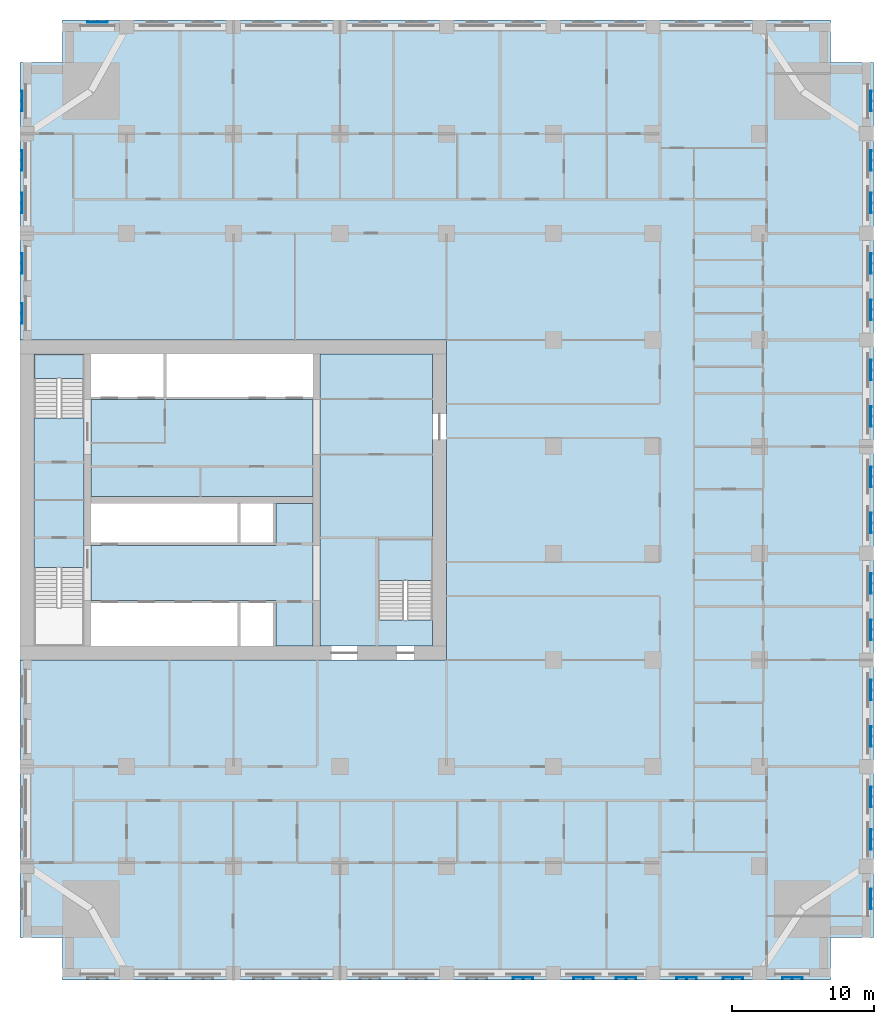
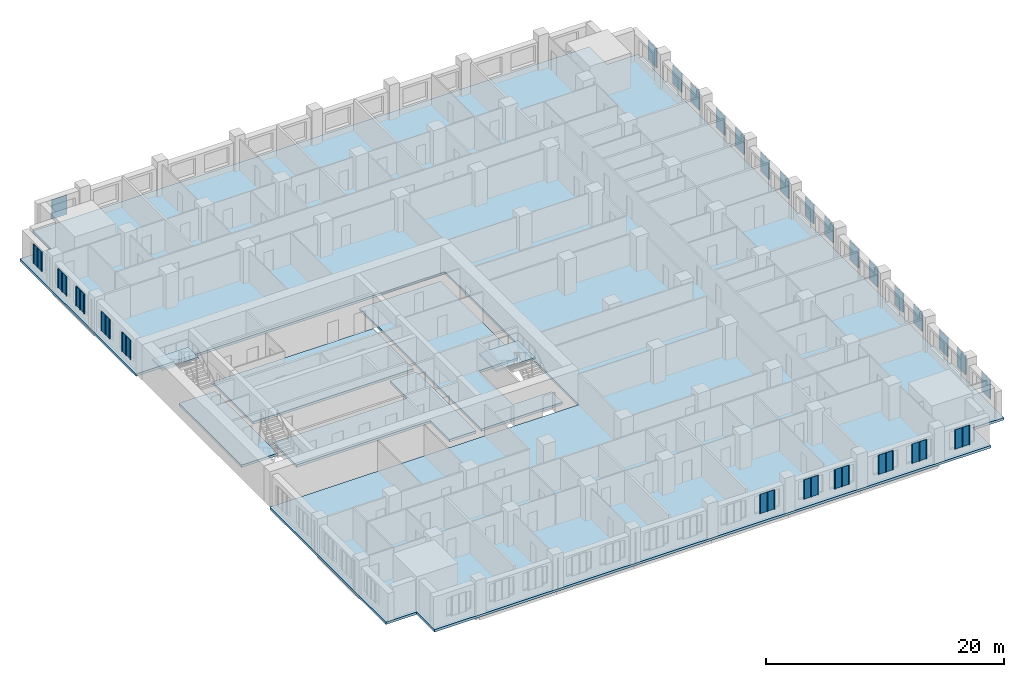
# One storey, part 2 of 14: 28 plates, 7 slabs, 2 elements without a shape of their own.
"""IFC4 building model written with IfcOpenShell, lengths in metres."""

from ifc_helpers import new_model, si_unit, direction, frame, origin, place, context, subcontext, project, spatial, polyline, outline, extrude, material, layer, layer_set, type_object, element, aggregate, save


model = new_model("IFC4")

# Units and contexts
model_context = context("Model", 3, precision=1e-05, world=origin(), true_north=direction((0.0, 1.0)))
body_context = subcontext(model_context, "Body", "Model", "MODEL_VIEW")
ifc_project = project(units=[si_unit("LENGTHUNIT", "METRE"), si_unit("AREAUNIT", "SQUARE_METRE"), si_unit("VOLUMEUNIT", "CUBIC_METRE"), si_unit("PLANEANGLEUNIT", "RADIAN"), si_unit("MASSUNIT", "GRAM", prefix="KILO")], contexts=[model_context])

# Site, building, storey
site_placement = place(None, origin())
site = spatial("IfcSite", under=ifc_project, at=site_placement, CompositionType="ELEMENT")
building_placement = place(site_placement, origin())
building = spatial("IfcBuilding", under=site, at=building_placement, Name="Tamorin Gate", CompositionType="ELEMENT")
storey_placement = place(building_placement, frame((0.0, 0.0, 70.0)))
storey = spatial("IfcBuildingStorey", under=building, at=storey_placement, Name="L16", CompositionType="ELEMENT", Elevation=70.0)

# Slabs
ifc_material_1 = material(Name="Concrete C40/50", Category="concrete")
ifc_layer_1 = layer(ifc_material_1, 0.25)
ifc_layer_set_1 = layer_set([ifc_layer_1], Name="Core floor slab 250 C40/50")
slab_type_1 = type_object("IfcSlabType", Name="Core floor slab 250 C40/50", PredefinedType="FLOOR", material=ifc_layer_set_1)
slab_1_placement = place(storey_placement, frame((0.0, 0.0, -0.25)))
element("IfcSlab", 1, at=slab_1_placement, inside=storey, type_object=slab_type_1, Name="Core floor L16", PredefinedType="FLOOR", context=body_context, shape_type="SweptSolid", body=[
    extrude(outline(polyline([(59.0, 62.800048828125), (59.0, 61.0), (51.10009765625, 61.0), (51.10009765625, 81.5), (59.0, 81.5), (59.0, 68.5), (55.199951171875, 68.5), (55.199951171875, 62.800048828125), (59.0, 62.800048828125)])), origin(), (0.0, 0.0, 1.0), 0.25),
])
slab_2_placement = place(storey_placement, frame((0.0, 0.0, -0.25)))
element("IfcSlab", 2, at=slab_2_placement, inside=storey, type_object=slab_type_1, Name="Core floor L16", PredefinedType="FLOOR", context=body_context, shape_type="SweptSolid", body=[
    extrude(outline(polyline([(50.60009765625, 61.0), (48.0, 61.0), (48.0, 64.199951171875), (35.0, 64.199951171875), (35.0, 68.050048828125), (48.0, 68.050048828125), (48.0, 71.0), (50.60009765625, 71.0), (50.60009765625, 61.0)])), origin(), (0.0, 0.0, 1.0), 0.25),
])
slab_3_placement = place(storey_placement, frame((0.0, 0.0, -0.25)))
element("IfcSlab", 3, at=slab_3_placement, inside=storey, type_object=slab_type_1, Name="Core floor L16", PredefinedType="FLOOR", context=body_context, shape_type="SweptSolid", body=[
    extrude(outline(polyline([(50.60009765625, 71.5), (35.0, 71.5), (35.0, 78.300048828125), (50.60009765625, 78.300048828125), (50.60009765625, 71.5)])), origin(), (0.0, 0.0, 1.0), 0.25),
])
slab_4_placement = place(storey_placement, frame((0.0, 0.0, -0.25)))
element("IfcSlab", 4, at=slab_4_placement, inside=storey, type_object=slab_type_1, Name="Core floor L16", PredefinedType="FLOOR", context=body_context, shape_type="SweptSolid", body=[
    extrude(outline(polyline([(31.0, 66.5), (31.0, 77.0), (34.5, 77.0), (34.5, 66.5), (31.0, 66.5)])), origin(), (0.0, 0.0, 1.0), 0.25),
])

# Stair, slab
stair_type = type_object("IfcStairType", Name="Exit stair", PredefinedType="HALF_TURN_STAIR", material=ifc_material_1)
stair_1_placement = place(storey_placement, origin())
stair_1 = element("IfcStair", 5, at=stair_1_placement, inside=storey, type_object=stair_type, Name="L16 stair ST2", PredefinedType="HALF_TURN_STAIR")
ifc_layer_2 = layer(ifc_material_1, 0.199951171875)
ifc_layer_set_2 = layer_set([ifc_layer_2], Name="Exit stair landing 200")
slab_type_2 = type_object("IfcSlabType", Name="Exit stair landing 200", PredefinedType="LANDING", material=ifc_layer_set_2)
slab_5_placement = place(storey_placement, frame((0.0, 0.0, 1.60009765625)))
slab_5 = element("IfcSlab", 6, at=slab_5_placement, type_object=slab_type_2, Name="ST2 landing 1", PredefinedType="LANDING", context=body_context, shape_type="SweptSolid", body=[
    extrude(outline(polyline([(34.5, 79.800048828125), (34.5, 81.5), (31.0, 81.5), (31.0, 79.800048828125), (34.5, 79.800048828125)])), origin(), (0.0, 0.0, 1.0), 0.199951171875),
])
aggregate(stair_1, [slab_5])

stair_2_placement = place(storey_placement, origin())
stair_2 = element("IfcStair", 7, at=stair_2_placement, inside=storey, type_object=stair_type, Name="L16 stair ST3", PredefinedType="HALF_TURN_STAIR")
slab_6_placement = place(storey_placement, frame((0.0, 0.0, 1.60009765625)))
slab_6 = element("IfcSlab", 8, at=slab_6_placement, type_object=slab_type_2, Name="ST3 landing 1", PredefinedType="LANDING", context=body_context, shape_type="SweptSolid", body=[
    extrude(outline(polyline([(59.0, 65.60009765625), (59.0, 68.5), (55.199951171875, 68.5), (55.199951171875, 65.60009765625), (59.0, 65.60009765625)])), origin(), (0.0, 0.0, 1.0), 0.199951171875),
])
aggregate(stair_2, [slab_6])

# Slab
ifc_layer_3 = layer(ifc_material_1, 0.25)
ifc_layer_set_3 = layer_set([ifc_layer_3], Name="Floor slab 250 C40/50")
slab_type_3 = type_object("IfcSlabType", Name="Floor slab 250 C40/50", PredefinedType="FLOOR", material=ifc_layer_set_3)
slab_7_placement = place(storey_placement, frame((0.0, 0.0, -0.25)))
element("IfcSlab", 9, at=slab_7_placement, inside=storey, type_object=slab_type_3, Name="Floor L16", PredefinedType="FLOOR", context=body_context, shape_type="SweptSolid", body=[
    extrude(outline(polyline([(30.0, 102.0), (33.0, 102.0), (33.0, 105.0), (87.0, 105.0), (87.0, 102.0), (90.0, 102.0), (90.0, 40.5), (87.0, 40.5), (87.0, 37.5), (33.0, 37.5), (33.0, 40.5), (30.0, 40.5), (30.0, 60.0), (60.0, 60.0), (60.0, 82.5), (30.0, 82.5), (30.0, 102.0)])), origin(), (0.0, 0.0, 1.0), 0.25),
])

# Plates
ifc_material_2 = material(Name="Perforated pale aluminium sheet", Category="aluminium")
ifc_layer_4 = layer(ifc_material_2, 0.0400390625)
ifc_layer_set_4 = layer_set([ifc_layer_4], Name="Pale metal solar screen 1440")
plate_type = type_object("IfcPlateType", Name="Pale metal solar screen 1440", PredefinedType="SHEET", material=ifc_layer_set_4)
plate_1_placement = place(storey_placement, frame((0.0, 0.0, 0.7099609375)))
element("IfcPlate", 10, at=plate_1_placement, inside=storey, type_object=plate_type, Name="Perforated solar screen", PredefinedType="SHEET", context=body_context, shape_type="SweptSolid", body=[
    extrude(outline(polyline([(64.655029296875, 37.659912109375), (64.655029296875, 37.699951171875), (64.715087890625, 37.699951171875), (65.344970703125, 37.699951171875), (65.405029296875, 37.699951171875), (66.034912109375, 37.699951171875), (66.094970703125, 37.699951171875), (66.094970703125, 37.659912109375), (66.094970703125, 37.60009765625), (66.034912109375, 37.60009765625), (66.034912109375, 37.659912109375), (65.405029296875, 37.659912109375), (65.405029296875, 37.60009765625), (65.344970703125, 37.60009765625), (65.344970703125, 37.659912109375), (64.715087890625, 37.659912109375), (64.715087890625, 37.60009765625), (64.655029296875, 37.60009765625), (64.655029296875, 37.659912109375)])), origin(), (0.0, 0.0, 1.0), 1.97998046875),
])
plate_2_placement = place(storey_placement, frame((0.0, 0.0, 0.7099609375)))
element("IfcPlate", 11, at=plate_2_placement, inside=storey, type_object=plate_type, Name="Perforated solar screen", PredefinedType="SHEET", context=body_context, shape_type="SweptSolid", body=[
    extrude(outline(polyline([(68.905029296875, 37.659912109375), (68.905029296875, 37.699951171875), (68.965087890625, 37.699951171875), (69.594970703125, 37.699951171875), (69.655029296875, 37.699951171875), (70.284912109375, 37.699951171875), (70.344970703125, 37.699951171875), (70.344970703125, 37.659912109375), (70.344970703125, 37.60009765625), (70.284912109375, 37.60009765625), (70.284912109375, 37.659912109375), (69.655029296875, 37.659912109375), (69.655029296875, 37.60009765625), (69.594970703125, 37.60009765625), (69.594970703125, 37.659912109375), (68.965087890625, 37.659912109375), (68.965087890625, 37.60009765625), (68.905029296875, 37.60009765625), (68.905029296875, 37.659912109375)])), origin(), (0.0, 0.0, 1.0), 1.97998046875),
])
plate_3_placement = place(storey_placement, frame((0.0, 0.0, 0.7099609375)))
element("IfcPlate", 12, at=plate_3_placement, inside=storey, type_object=plate_type, Name="Perforated solar screen", PredefinedType="SHEET", context=body_context, shape_type="SweptSolid", body=[
    extrude(outline(polyline([(71.905029296875, 37.659912109375), (71.905029296875, 37.699951171875), (71.965087890625, 37.699951171875), (72.594970703125, 37.699951171875), (72.655029296875, 37.699951171875), (73.284912109375, 37.699951171875), (73.344970703125, 37.699951171875), (73.344970703125, 37.659912109375), (73.344970703125, 37.60009765625), (73.284912109375, 37.60009765625), (73.284912109375, 37.659912109375), (72.655029296875, 37.659912109375), (72.655029296875, 37.60009765625), (72.594970703125, 37.60009765625), (72.594970703125, 37.659912109375), (71.965087890625, 37.659912109375), (71.965087890625, 37.60009765625), (71.905029296875, 37.60009765625), (71.905029296875, 37.659912109375)])), origin(), (0.0, 0.0, 1.0), 1.97998046875),
])
plate_4_placement = place(storey_placement, frame((0.0, 0.0, 0.7099609375)))
element("IfcPlate", 13, at=plate_4_placement, inside=storey, type_object=plate_type, Name="Perforated solar screen", PredefinedType="SHEET", context=body_context, shape_type="SweptSolid", body=[
    extrude(outline(polyline([(76.155029296875, 37.659912109375), (76.155029296875, 37.699951171875), (76.215087890625, 37.699951171875), (76.844970703125, 37.699951171875), (76.905029296875, 37.699951171875), (77.534912109375, 37.699951171875), (77.594970703125, 37.699951171875), (77.594970703125, 37.659912109375), (77.594970703125, 37.60009765625), (77.534912109375, 37.60009765625), (77.534912109375, 37.659912109375), (76.905029296875, 37.659912109375), (76.905029296875, 37.60009765625), (76.844970703125, 37.60009765625), (76.844970703125, 37.659912109375), (76.215087890625, 37.659912109375), (76.215087890625, 37.60009765625), (76.155029296875, 37.60009765625), (76.155029296875, 37.659912109375)])), origin(), (0.0, 0.0, 1.0), 1.97998046875),
])
plate_5_placement = place(storey_placement, frame((0.0, 0.0, 0.7099609375)))
element("IfcPlate", 14, at=plate_5_placement, inside=storey, type_object=plate_type, Name="Perforated solar screen", PredefinedType="SHEET", context=body_context, shape_type="SweptSolid", body=[
    extrude(outline(polyline([(79.405029296875, 37.659912109375), (79.405029296875, 37.699951171875), (79.465087890625, 37.699951171875), (80.094970703125, 37.699951171875), (80.155029296875, 37.699951171875), (80.784912109375, 37.699951171875), (80.844970703125, 37.699951171875), (80.844970703125, 37.659912109375), (80.844970703125, 37.60009765625), (80.784912109375, 37.60009765625), (80.784912109375, 37.659912109375), (80.155029296875, 37.659912109375), (80.155029296875, 37.60009765625), (80.094970703125, 37.60009765625), (80.094970703125, 37.659912109375), (79.465087890625, 37.659912109375), (79.465087890625, 37.60009765625), (79.405029296875, 37.60009765625), (79.405029296875, 37.659912109375)])), origin(), (0.0, 0.0, 1.0), 1.97998046875),
])
plate_6_placement = place(storey_placement, frame((0.0, 0.0, 0.7099609375)))
element("IfcPlate", 15, at=plate_6_placement, inside=storey, type_object=plate_type, Name="Perforated solar screen", PredefinedType="SHEET", context=body_context, shape_type="SweptSolid", body=[
    extrude(outline(polyline([(83.580078125, 37.659912109375), (83.580078125, 37.699951171875), (83.639892578125, 37.699951171875), (84.27001953125, 37.699951171875), (84.330078125, 37.699951171875), (84.9599609375, 37.699951171875), (85.02001953125, 37.699951171875), (85.02001953125, 37.659912109375), (85.02001953125, 37.60009765625), (84.9599609375, 37.60009765625), (84.9599609375, 37.659912109375), (84.330078125, 37.659912109375), (84.330078125, 37.60009765625), (84.27001953125, 37.60009765625), (84.27001953125, 37.659912109375), (83.639892578125, 37.659912109375), (83.639892578125, 37.60009765625), (83.580078125, 37.60009765625), (83.580078125, 37.659912109375)])), origin(), (0.0, 0.0, 1.0), 1.97998046875),
])
plate_7_placement = place(storey_placement, frame((0.0, 0.0, 0.7099609375)))
element("IfcPlate", 16, at=plate_7_placement, inside=storey, type_object=plate_type, Name="Perforated solar screen", PredefinedType="SHEET", context=body_context, shape_type="SweptSolid", body=[
    extrude(outline(polyline([(89.840087890625, 42.47998046875), (89.800048828125, 42.47998046875), (89.800048828125, 42.5400390625), (89.800048828125, 43.169921875), (89.800048828125, 43.22998046875), (89.800048828125, 43.860107421875), (89.800048828125, 43.919921875), (89.840087890625, 43.919921875), (89.89990234375, 43.919921875), (89.89990234375, 43.860107421875), (89.840087890625, 43.860107421875), (89.840087890625, 43.22998046875), (89.89990234375, 43.22998046875), (89.89990234375, 43.169921875), (89.840087890625, 43.169921875), (89.840087890625, 42.5400390625), (89.89990234375, 42.5400390625), (89.89990234375, 42.47998046875), (89.840087890625, 42.47998046875)])), origin(), (0.0, 0.0, 1.0), 1.97998046875),
])
plate_8_placement = place(storey_placement, frame((0.0, 0.0, 0.7099609375)))
element("IfcPlate", 17, at=plate_8_placement, inside=storey, type_object=plate_type, Name="Perforated solar screen", PredefinedType="SHEET", context=body_context, shape_type="SweptSolid", body=[
    extrude(outline(polyline([(89.840087890625, 46.655029296875), (89.800048828125, 46.655029296875), (89.800048828125, 46.715087890625), (89.800048828125, 47.344970703125), (89.800048828125, 47.405029296875), (89.800048828125, 48.034912109375), (89.800048828125, 48.094970703125), (89.800048828125, 48.094970703125), (89.840087890625, 48.094970703125), (89.840087890625, 48.094970703125), (89.89990234375, 48.094970703125), (89.89990234375, 48.034912109375), (89.840087890625, 48.034912109375), (89.840087890625, 47.405029296875), (89.89990234375, 47.405029296875), (89.89990234375, 47.344970703125), (89.840087890625, 47.344970703125), (89.840087890625, 46.715087890625), (89.89990234375, 46.715087890625), (89.89990234375, 46.655029296875), (89.840087890625, 46.655029296875)])), origin(), (0.0, 0.0, 1.0), 1.97998046875),
])
plate_9_placement = place(storey_placement, frame((0.0, 0.0, 0.7099609375)))
element("IfcPlate", 18, at=plate_9_placement, inside=storey, type_object=plate_type, Name="Perforated solar screen", PredefinedType="SHEET", context=body_context, shape_type="SweptSolid", body=[
    extrude(outline(polyline([(89.840087890625, 49.655029296875), (89.800048828125, 49.655029296875), (89.800048828125, 49.715087890625), (89.800048828125, 50.344970703125), (89.800048828125, 50.405029296875), (89.800048828125, 51.034912109375), (89.800048828125, 51.094970703125), (89.840087890625, 51.094970703125), (89.89990234375, 51.094970703125), (89.89990234375, 51.034912109375), (89.840087890625, 51.034912109375), (89.840087890625, 50.405029296875), (89.89990234375, 50.405029296875), (89.89990234375, 50.344970703125), (89.840087890625, 50.344970703125), (89.840087890625, 49.715087890625), (89.89990234375, 49.715087890625), (89.89990234375, 49.655029296875), (89.840087890625, 49.655029296875)])), origin(), (0.0, 0.0, 1.0), 1.97998046875),
])
plate_10_placement = place(storey_placement, frame((0.0, 0.0, 0.7099609375)))
element("IfcPlate", 19, at=plate_10_placement, inside=storey, type_object=plate_type, Name="Perforated solar screen", PredefinedType="SHEET", context=body_context, shape_type="SweptSolid", body=[
    extrude(outline(polyline([(89.840087890625, 53.905029296875), (89.800048828125, 53.905029296875), (89.800048828125, 53.965087890625), (89.800048828125, 54.594970703125), (89.800048828125, 54.655029296875), (89.800048828125, 55.284912109375), (89.800048828125, 55.344970703125), (89.840087890625, 55.344970703125), (89.89990234375, 55.344970703125), (89.89990234375, 55.284912109375), (89.840087890625, 55.284912109375), (89.840087890625, 54.655029296875), (89.89990234375, 54.655029296875), (89.89990234375, 54.594970703125), (89.840087890625, 54.594970703125), (89.840087890625, 53.965087890625), (89.89990234375, 53.965087890625), (89.89990234375, 53.905029296875), (89.840087890625, 53.905029296875)])), origin(), (0.0, 0.0, 1.0), 1.97998046875),
])
plate_11_placement = place(storey_placement, frame((0.0, 0.0, 0.7099609375)))
element("IfcPlate", 20, at=plate_11_placement, inside=storey, type_object=plate_type, Name="Perforated solar screen", PredefinedType="SHEET", context=body_context, shape_type="SweptSolid", body=[
    extrude(outline(polyline([(89.840087890625, 57.155029296875), (89.800048828125, 57.155029296875), (89.800048828125, 57.215087890625), (89.800048828125, 57.844970703125), (89.800048828125, 57.905029296875), (89.800048828125, 58.534912109375), (89.800048828125, 58.594970703125), (89.840087890625, 58.594970703125), (89.89990234375, 58.594970703125), (89.89990234375, 58.534912109375), (89.840087890625, 58.534912109375), (89.840087890625, 57.905029296875), (89.89990234375, 57.905029296875), (89.89990234375, 57.844970703125), (89.840087890625, 57.844970703125), (89.840087890625, 57.215087890625), (89.89990234375, 57.215087890625), (89.89990234375, 57.155029296875), (89.840087890625, 57.155029296875)])), origin(), (0.0, 0.0, 1.0), 1.97998046875),
])
plate_12_placement = place(storey_placement, frame((0.0, 0.0, 0.7099609375)))
element("IfcPlate", 21, at=plate_12_placement, inside=storey, type_object=plate_type, Name="Perforated solar screen", PredefinedType="SHEET", context=body_context, shape_type="SweptSolid", body=[
    extrude(outline(polyline([(89.840087890625, 61.405029296875), (89.800048828125, 61.405029296875), (89.800048828125, 61.465087890625), (89.800048828125, 62.094970703125), (89.800048828125, 62.155029296875), (89.800048828125, 62.784912109375), (89.800048828125, 62.844970703125), (89.840087890625, 62.844970703125), (89.89990234375, 62.844970703125), (89.89990234375, 62.784912109375), (89.840087890625, 62.784912109375), (89.840087890625, 62.155029296875), (89.89990234375, 62.155029296875), (89.89990234375, 62.094970703125), (89.840087890625, 62.094970703125), (89.840087890625, 61.465087890625), (89.89990234375, 61.465087890625), (89.89990234375, 61.405029296875), (89.840087890625, 61.405029296875)])), origin(), (0.0, 0.0, 1.0), 1.97998046875),
])
plate_13_placement = place(storey_placement, frame((0.0, 0.0, 0.7099609375)))
element("IfcPlate", 22, at=plate_13_placement, inside=storey, type_object=plate_type, Name="Perforated solar screen", PredefinedType="SHEET", context=body_context, shape_type="SweptSolid", body=[
    extrude(outline(polyline([(89.840087890625, 64.655029296875), (89.800048828125, 64.655029296875), (89.800048828125, 64.715087890625), (89.800048828125, 65.344970703125), (89.800048828125, 65.405029296875), (89.800048828125, 66.034912109375), (89.800048828125, 66.094970703125), (89.840087890625, 66.094970703125), (89.89990234375, 66.094970703125), (89.89990234375, 66.034912109375), (89.840087890625, 66.034912109375), (89.840087890625, 65.405029296875), (89.89990234375, 65.405029296875), (89.89990234375, 65.344970703125), (89.840087890625, 65.344970703125), (89.840087890625, 64.715087890625), (89.89990234375, 64.715087890625), (89.89990234375, 64.655029296875), (89.840087890625, 64.655029296875)])), origin(), (0.0, 0.0, 1.0), 1.97998046875),
])
plate_14_placement = place(storey_placement, frame((0.0, 0.0, 0.7099609375)))
element("IfcPlate", 23, at=plate_14_placement, inside=storey, type_object=plate_type, Name="Perforated solar screen", PredefinedType="SHEET", context=body_context, shape_type="SweptSolid", body=[
    extrude(outline(polyline([(89.840087890625, 68.905029296875), (89.800048828125, 68.905029296875), (89.800048828125, 68.965087890625), (89.800048828125, 69.594970703125), (89.800048828125, 69.655029296875), (89.800048828125, 70.284912109375), (89.800048828125, 70.344970703125), (89.840087890625, 70.344970703125), (89.89990234375, 70.344970703125), (89.89990234375, 70.284912109375), (89.840087890625, 70.284912109375), (89.840087890625, 69.655029296875), (89.89990234375, 69.655029296875), (89.89990234375, 69.594970703125), (89.840087890625, 69.594970703125), (89.840087890625, 68.965087890625), (89.89990234375, 68.965087890625), (89.89990234375, 68.905029296875), (89.840087890625, 68.905029296875)])), origin(), (0.0, 0.0, 1.0), 1.97998046875),
])
plate_15_placement = place(storey_placement, frame((0.0, 0.0, 0.7099609375)))
element("IfcPlate", 24, at=plate_15_placement, inside=storey, type_object=plate_type, Name="Perforated solar screen", PredefinedType="SHEET", context=body_context, shape_type="SweptSolid", body=[
    extrude(outline(polyline([(89.840087890625, 72.155029296875), (89.800048828125, 72.155029296875), (89.800048828125, 72.215087890625), (89.800048828125, 72.844970703125), (89.800048828125, 72.905029296875), (89.800048828125, 73.534912109375), (89.800048828125, 73.594970703125), (89.840087890625, 73.594970703125), (89.89990234375, 73.594970703125), (89.89990234375, 73.534912109375), (89.840087890625, 73.534912109375), (89.840087890625, 72.905029296875), (89.89990234375, 72.905029296875), (89.89990234375, 72.844970703125), (89.840087890625, 72.844970703125), (89.840087890625, 72.215087890625), (89.89990234375, 72.215087890625), (89.89990234375, 72.155029296875), (89.840087890625, 72.155029296875)])), origin(), (0.0, 0.0, 1.0), 1.97998046875),
])
plate_16_placement = place(storey_placement, frame((0.0, 0.0, 0.7099609375)))
element("IfcPlate", 25, at=plate_16_placement, inside=storey, type_object=plate_type, Name="Perforated solar screen", PredefinedType="SHEET", context=body_context, shape_type="SweptSolid", body=[
    extrude(outline(polyline([(89.840087890625, 76.405029296875), (89.800048828125, 76.405029296875), (89.800048828125, 76.465087890625), (89.800048828125, 77.094970703125), (89.800048828125, 77.155029296875), (89.800048828125, 77.784912109375), (89.800048828125, 77.844970703125), (89.840087890625, 77.844970703125), (89.89990234375, 77.844970703125), (89.89990234375, 77.784912109375), (89.840087890625, 77.784912109375), (89.840087890625, 77.155029296875), (89.89990234375, 77.155029296875), (89.89990234375, 77.094970703125), (89.840087890625, 77.094970703125), (89.840087890625, 76.465087890625), (89.89990234375, 76.465087890625), (89.89990234375, 76.405029296875), (89.840087890625, 76.405029296875)])), origin(), (0.0, 0.0, 1.0), 1.97998046875),
])
plate_17_placement = place(storey_placement, frame((0.0, 0.0, 0.7099609375)))
element("IfcPlate", 26, at=plate_17_placement, inside=storey, type_object=plate_type, Name="Perforated solar screen", PredefinedType="SHEET", context=body_context, shape_type="SweptSolid", body=[
    extrude(outline(polyline([(89.840087890625, 79.655029296875), (89.800048828125, 79.655029296875), (89.800048828125, 79.715087890625), (89.800048828125, 80.344970703125), (89.800048828125, 80.405029296875), (89.800048828125, 81.034912109375), (89.800048828125, 81.094970703125), (89.840087890625, 81.094970703125), (89.89990234375, 81.094970703125), (89.89990234375, 81.034912109375), (89.840087890625, 81.034912109375), (89.840087890625, 80.405029296875), (89.89990234375, 80.405029296875), (89.89990234375, 80.344970703125), (89.840087890625, 80.344970703125), (89.840087890625, 79.715087890625), (89.89990234375, 79.715087890625), (89.89990234375, 79.655029296875), (89.840087890625, 79.655029296875)])), origin(), (0.0, 0.0, 1.0), 1.97998046875),
])
plate_18_placement = place(storey_placement, frame((0.0, 0.0, 0.7099609375)))
element("IfcPlate", 27, at=plate_18_placement, inside=storey, type_object=plate_type, Name="Perforated solar screen", PredefinedType="SHEET", context=body_context, shape_type="SweptSolid", body=[
    extrude(outline(polyline([(89.840087890625, 83.905029296875), (89.800048828125, 83.905029296875), (89.800048828125, 83.965087890625), (89.800048828125, 84.594970703125), (89.800048828125, 84.655029296875), (89.800048828125, 85.284912109375), (89.800048828125, 85.344970703125), (89.840087890625, 85.344970703125), (89.89990234375, 85.344970703125), (89.89990234375, 85.284912109375), (89.840087890625, 85.284912109375), (89.840087890625, 84.655029296875), (89.89990234375, 84.655029296875), (89.89990234375, 84.594970703125), (89.840087890625, 84.594970703125), (89.840087890625, 83.965087890625), (89.89990234375, 83.965087890625), (89.89990234375, 83.905029296875), (89.840087890625, 83.905029296875)])), origin(), (0.0, 0.0, 1.0), 1.97998046875),
])
plate_19_placement = place(storey_placement, frame((0.0, 0.0, 0.7099609375)))
element("IfcPlate", 28, at=plate_19_placement, inside=storey, type_object=plate_type, Name="Perforated solar screen", PredefinedType="SHEET", context=body_context, shape_type="SweptSolid", body=[
    extrude(outline(polyline([(89.840087890625, 87.155029296875), (89.800048828125, 87.155029296875), (89.800048828125, 87.215087890625), (89.800048828125, 87.844970703125), (89.800048828125, 87.905029296875), (89.800048828125, 88.534912109375), (89.800048828125, 88.594970703125), (89.840087890625, 88.594970703125), (89.89990234375, 88.594970703125), (89.89990234375, 88.534912109375), (89.840087890625, 88.534912109375), (89.840087890625, 87.905029296875), (89.89990234375, 87.905029296875), (89.89990234375, 87.844970703125), (89.840087890625, 87.844970703125), (89.840087890625, 87.215087890625), (89.89990234375, 87.215087890625), (89.89990234375, 87.155029296875), (89.840087890625, 87.155029296875)])), origin(), (0.0, 0.0, 1.0), 1.97998046875),
])
plate_20_placement = place(storey_placement, frame((0.0, 0.0, 0.7099609375)))
element("IfcPlate", 29, at=plate_20_placement, inside=storey, type_object=plate_type, Name="Perforated solar screen", PredefinedType="SHEET", context=body_context, shape_type="SweptSolid", body=[
    extrude(outline(polyline([(89.840087890625, 91.405029296875), (89.800048828125, 91.405029296875), (89.800048828125, 91.465087890625), (89.800048828125, 92.094970703125), (89.800048828125, 92.155029296875), (89.800048828125, 92.784912109375), (89.800048828125, 92.844970703125), (89.840087890625, 92.844970703125), (89.89990234375, 92.844970703125), (89.89990234375, 92.784912109375), (89.840087890625, 92.784912109375), (89.840087890625, 92.155029296875), (89.89990234375, 92.155029296875), (89.89990234375, 92.094970703125), (89.840087890625, 92.094970703125), (89.840087890625, 91.465087890625), (89.89990234375, 91.465087890625), (89.89990234375, 91.405029296875), (89.840087890625, 91.405029296875)])), origin(), (0.0, 0.0, 1.0), 1.97998046875),
])
plate_21_placement = place(storey_placement, frame((0.0, 0.0, 0.7099609375)))
element("IfcPlate", 30, at=plate_21_placement, inside=storey, type_object=plate_type, Name="Perforated solar screen", PredefinedType="SHEET", context=body_context, shape_type="SweptSolid", body=[
    extrude(outline(polyline([(89.840087890625, 94.405029296875), (89.800048828125, 94.405029296875), (89.800048828125, 94.465087890625), (89.800048828125, 95.094970703125), (89.800048828125, 95.155029296875), (89.800048828125, 95.784912109375), (89.800048828125, 95.844970703125), (89.840087890625, 95.844970703125), (89.89990234375, 95.844970703125), (89.89990234375, 95.784912109375), (89.840087890625, 95.784912109375), (89.840087890625, 95.155029296875), (89.89990234375, 95.155029296875), (89.89990234375, 95.094970703125), (89.840087890625, 95.094970703125), (89.840087890625, 94.465087890625), (89.89990234375, 94.465087890625), (89.89990234375, 94.405029296875), (89.840087890625, 94.405029296875)])), origin(), (0.0, 0.0, 1.0), 1.97998046875),
])
plate_22_placement = place(storey_placement, frame((0.0, 0.0, 0.7099609375)))
element("IfcPlate", 31, at=plate_22_placement, inside=storey, type_object=plate_type, Name="Perforated solar screen", PredefinedType="SHEET", context=body_context, shape_type="SweptSolid", body=[
    extrude(outline(polyline([(89.840087890625, 98.580078125), (89.800048828125, 98.580078125), (89.800048828125, 98.639892578125), (89.800048828125, 99.27001953125), (89.800048828125, 99.330078125), (89.800048828125, 99.9599609375), (89.800048828125, 100.02001953125), (89.840087890625, 100.02001953125), (89.89990234375, 100.02001953125), (89.89990234375, 99.9599609375), (89.840087890625, 99.9599609375), (89.840087890625, 99.330078125), (89.89990234375, 99.330078125), (89.89990234375, 99.27001953125), (89.840087890625, 99.27001953125), (89.840087890625, 98.639892578125), (89.89990234375, 98.639892578125), (89.89990234375, 98.580078125), (89.840087890625, 98.580078125)])), origin(), (0.0, 0.0, 1.0), 1.97998046875),
])
plate_23_placement = place(storey_placement, frame((0.0, 0.0, 0.7099609375)))
element("IfcPlate", 32, at=plate_23_placement, inside=storey, type_object=plate_type, Name="Perforated solar screen", PredefinedType="SHEET", context=body_context, shape_type="SweptSolid", body=[
    extrude(outline(polyline([(36.169921875, 104.840087890625), (36.169921875, 104.800048828125), (36.110107421875, 104.800048828125), (35.47998046875, 104.800048828125), (35.419921875, 104.800048828125), (34.7900390625, 104.800048828125), (34.72998046875, 104.800048828125), (34.72998046875, 104.840087890625), (34.72998046875, 104.89990234375), (34.7900390625, 104.89990234375), (34.7900390625, 104.840087890625), (35.419921875, 104.840087890625), (35.419921875, 104.89990234375), (35.47998046875, 104.89990234375), (35.47998046875, 104.840087890625), (36.110107421875, 104.840087890625), (36.110107421875, 104.89990234375), (36.169921875, 104.89990234375), (36.169921875, 104.840087890625)])), origin(), (0.0, 0.0, 1.0), 1.97998046875),
])
plate_24_placement = place(storey_placement, frame((0.0, 0.0, 0.7099609375)))
element("IfcPlate", 33, at=plate_24_placement, inside=storey, type_object=plate_type, Name="Perforated solar screen", PredefinedType="SHEET", context=body_context, shape_type="SweptSolid", body=[
    extrude(outline(polyline([(30.159912109375, 100.02001953125), (30.199951171875, 100.02001953125), (30.199951171875, 99.9599609375), (30.199951171875, 99.330078125), (30.199951171875, 99.27001953125), (30.199951171875, 98.639892578125), (30.199951171875, 98.580078125), (30.159912109375, 98.580078125), (30.10009765625, 98.580078125), (30.10009765625, 98.639892578125), (30.159912109375, 98.639892578125), (30.159912109375, 99.27001953125), (30.10009765625, 99.27001953125), (30.10009765625, 99.330078125), (30.159912109375, 99.330078125), (30.159912109375, 99.9599609375), (30.10009765625, 99.9599609375), (30.10009765625, 100.02001953125), (30.159912109375, 100.02001953125)])), origin(), (0.0, 0.0, 1.0), 1.97998046875),
])
plate_25_placement = place(storey_placement, frame((0.0, 0.0, 0.7099609375)))
element("IfcPlate", 34, at=plate_25_placement, inside=storey, type_object=plate_type, Name="Perforated solar screen", PredefinedType="SHEET", context=body_context, shape_type="SweptSolid", body=[
    extrude(outline(polyline([(30.159912109375, 92.844970703125), (30.199951171875, 92.844970703125), (30.199951171875, 92.784912109375), (30.199951171875, 92.155029296875), (30.199951171875, 92.094970703125), (30.199951171875, 91.465087890625), (30.199951171875, 91.405029296875), (30.159912109375, 91.405029296875), (30.10009765625, 91.405029296875), (30.10009765625, 91.465087890625), (30.159912109375, 91.465087890625), (30.159912109375, 92.094970703125), (30.10009765625, 92.094970703125), (30.10009765625, 92.155029296875), (30.159912109375, 92.155029296875), (30.159912109375, 92.784912109375), (30.10009765625, 92.784912109375), (30.10009765625, 92.844970703125), (30.159912109375, 92.844970703125)])), origin(), (0.0, 0.0, 1.0), 1.97998046875),
])
plate_26_placement = place(storey_placement, frame((0.0, 0.0, 0.7099609375)))
element("IfcPlate", 35, at=plate_26_placement, inside=storey, type_object=plate_type, Name="Perforated solar screen", PredefinedType="SHEET", context=body_context, shape_type="SweptSolid", body=[
    extrude(outline(polyline([(30.159912109375, 95.844970703125), (30.199951171875, 95.844970703125), (30.199951171875, 95.784912109375), (30.199951171875, 95.155029296875), (30.199951171875, 95.094970703125), (30.199951171875, 94.465087890625), (30.199951171875, 94.405029296875), (30.199951171875, 94.405029296875), (30.159912109375, 94.405029296875), (30.159912109375, 94.405029296875), (30.10009765625, 94.405029296875), (30.10009765625, 94.465087890625), (30.159912109375, 94.465087890625), (30.159912109375, 95.094970703125), (30.10009765625, 95.094970703125), (30.10009765625, 95.155029296875), (30.159912109375, 95.155029296875), (30.159912109375, 95.784912109375), (30.10009765625, 95.784912109375), (30.10009765625, 95.844970703125), (30.159912109375, 95.844970703125)])), origin(), (0.0, 0.0, 1.0), 1.97998046875),
])
plate_27_placement = place(storey_placement, frame((0.0, 0.0, 0.7099609375)))
element("IfcPlate", 36, at=plate_27_placement, inside=storey, type_object=plate_type, Name="Perforated solar screen", PredefinedType="SHEET", context=body_context, shape_type="SweptSolid", body=[
    extrude(outline(polyline([(30.159912109375, 85.094970703125), (30.199951171875, 85.094970703125), (30.199951171875, 85.034912109375), (30.199951171875, 84.405029296875), (30.199951171875, 84.344970703125), (30.199951171875, 83.715087890625), (30.199951171875, 83.655029296875), (30.159912109375, 83.655029296875), (30.10009765625, 83.655029296875), (30.10009765625, 83.715087890625), (30.159912109375, 83.715087890625), (30.159912109375, 84.344970703125), (30.10009765625, 84.344970703125), (30.10009765625, 84.405029296875), (30.159912109375, 84.405029296875), (30.159912109375, 85.034912109375), (30.10009765625, 85.034912109375), (30.10009765625, 85.094970703125), (30.159912109375, 85.094970703125)])), origin(), (0.0, 0.0, 1.0), 1.97998046875),
])
plate_28_placement = place(storey_placement, frame((0.0, 0.0, 0.7099609375)))
element("IfcPlate", 37, at=plate_28_placement, inside=storey, type_object=plate_type, Name="Perforated solar screen", PredefinedType="SHEET", context=body_context, shape_type="SweptSolid", body=[
    extrude(outline(polyline([(30.159912109375, 88.594970703125), (30.199951171875, 88.594970703125), (30.199951171875, 88.534912109375), (30.199951171875, 87.905029296875), (30.199951171875, 87.844970703125), (30.199951171875, 87.215087890625), (30.199951171875, 87.155029296875), (30.159912109375, 87.155029296875), (30.10009765625, 87.155029296875), (30.10009765625, 87.215087890625), (30.159912109375, 87.215087890625), (30.159912109375, 87.844970703125), (30.10009765625, 87.844970703125), (30.10009765625, 87.905029296875), (30.159912109375, 87.905029296875), (30.159912109375, 88.534912109375), (30.10009765625, 88.534912109375), (30.10009765625, 88.594970703125), (30.159912109375, 88.594970703125)])), origin(), (0.0, 0.0, 1.0), 1.97998046875),
])

save(model, "model.ifc")
